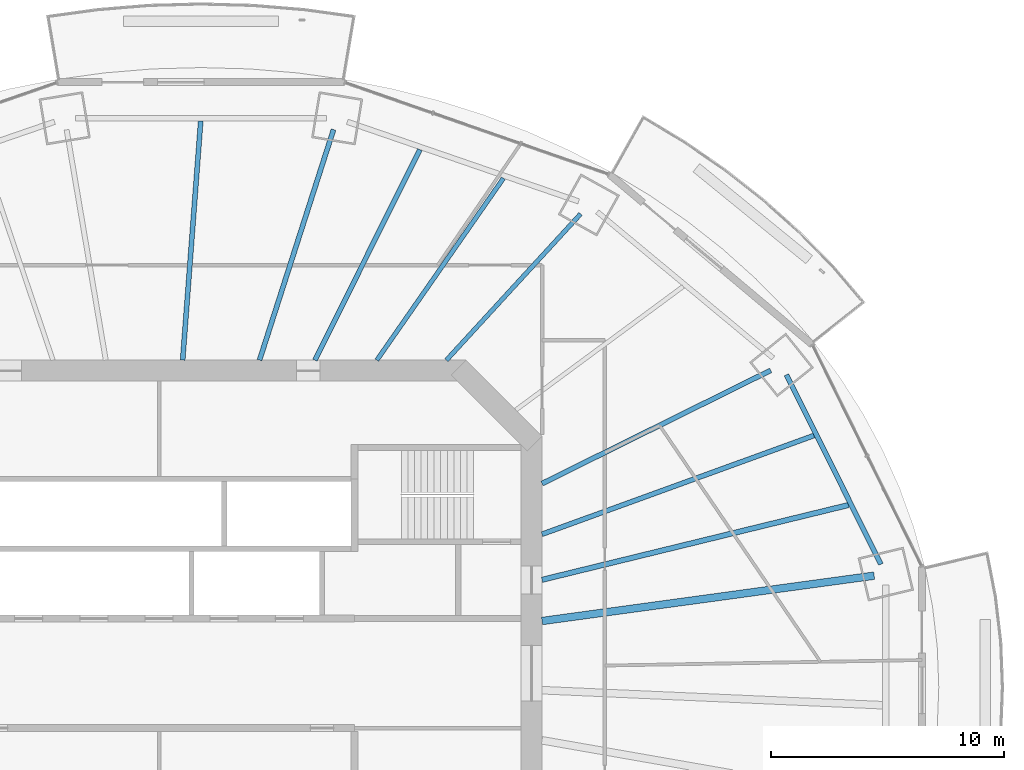
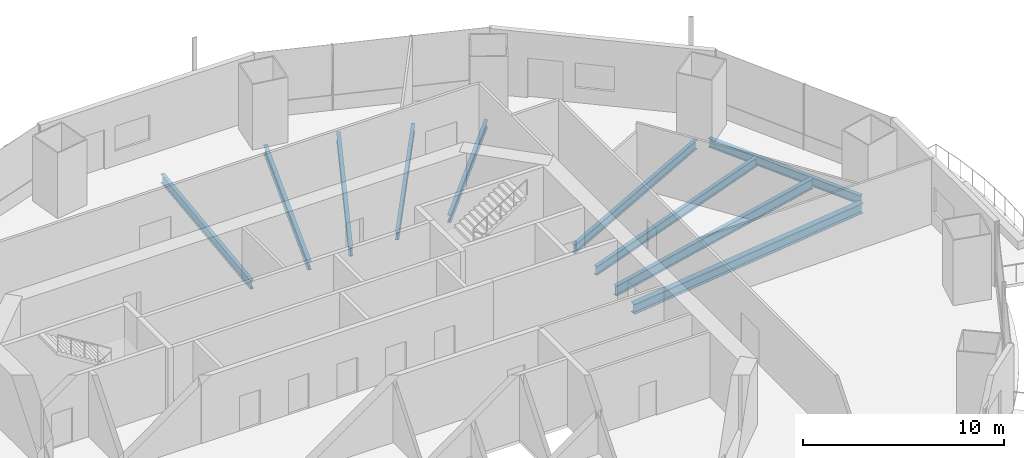
# One storey, part 7 of 21: 10 beams.
"""IFC4 building model written with IfcOpenShell, lengths in metres."""

import ifcopenshell
import ifcopenshell.guid

model = None  # the IFC model being written
_history = None  # IfcOwnerHistory: only IFC2X3 demands one
_inside = {}  # id of a spatial element -> (the spatial element, [elements in it])
_under = {}  # id of a project, library or spatial element -> (it, [spatial elements below it])
_declared = {}  # id of a project -> (the project, [libraries it declares])
_typed = {}  # id of a type object -> (the type object, [elements of that type])
_made_of = {}  # id of a material, layer set ... -> (it, [elements and type objects made of it])


def new_model(schema):
    """Start an empty IFC model of exactly this schema.

    Asked for "IFC4X3", IfcOpenShell would pick the latest addendum, in which some entities
    have other attributes; the version numbers below select the first issue.
    IFC2X3 requires an IfcOwnerHistory on every rooted entity: one is made here for all.
    """
    global model, _history
    if schema == "IFC4X3":
        model = ifcopenshell.file(schema_version=(4, 3, 0, 0))
    else:
        model = ifcopenshell.file(schema=schema)
    _inside.clear()
    _under.clear()
    _declared.clear()
    _typed.clear()
    _made_of.clear()
    _history = None
    if model.schema == "IFC2X3":
        org = make("IfcOrganization", Name="unknown")
        user = make(
            "IfcPersonAndOrganization",
            ThePerson=make("IfcPerson", FamilyName="unknown"),
            TheOrganization=org,
        )
        app = make(
            "IfcApplication",
            ApplicationDeveloper=org,
            Version="unknown",
            ApplicationFullName="unknown",
            ApplicationIdentifier="unknown",
        )
        _history = make(
            "IfcOwnerHistory",
            OwningUser=user,
            OwningApplication=app,
            ChangeAction="ADDED",
            CreationDate=0,
        )
    return model


def make(cls, **values):
    """One entity of the class cls with the attributes given. An attribute that is None is left unset."""
    return model.create_entity(
        cls, **{name: value for name, value in values.items() if value is not None}
    )


def rooted(cls, **values):
    """An entity with a GlobalId (a new one), such as an element, a storey or a relation."""
    return make(cls, GlobalId=ifcopenshell.guid.new(), OwnerHistory=_history, **values)


def si_unit(unit_type, name, prefix=None):
    """IfcSIUnit, for example si_unit("LENGTHUNIT", "METRE", prefix="MILLI")."""
    return make("IfcSIUnit", UnitType=unit_type, Prefix=prefix, Name=name)


def assignment(units):
    """IfcUnitAssignment: the units of a project."""
    return None if units is None else make("IfcUnitAssignment", Units=units)


def point(xyz):
    """IfcCartesianPoint."""
    return None if xyz is None else make("IfcCartesianPoint", Coordinates=xyz)


def direction(xyz):
    """IfcDirection."""
    return None if xyz is None else make("IfcDirection", DirectionRatios=xyz)


def frame(location, z_axis=None, x_axis=None):
    """IfcAxis2Placement3D, a coordinate frame: its origin and axes. An axis left out is left unset."""
    return make(
        "IfcAxis2Placement3D",
        Location=point(location),
        Axis=direction(z_axis),
        RefDirection=direction(x_axis),
    )


def frame_2d(location, x_axis=None):
    """IfcAxis2Placement2D, a coordinate frame in the plane: its origin and x axis."""
    return make(
        "IfcAxis2Placement2D", Location=point(location), RefDirection=direction(x_axis)
    )


def origin():
    """The frame at (0, 0, 0) with its axes left unset."""
    return frame((0.0, 0.0, 0.0))


def origin_2d():
    """The frame at (0, 0) in the plane with its x axis left unset."""
    return frame_2d((0.0, 0.0))


def place(relative_to, where):
    """IfcLocalPlacement: puts the frame where relative to a parent placement (None: the world)."""
    return make(
        "IfcLocalPlacement", PlacementRelTo=relative_to, RelativePlacement=where
    )


def context(
    kind, dimensions, precision=None, world=None, true_north=None, identifier=None
):
    """IfcGeometricRepresentationContext, for example the 3D "Model" context."""
    return make(
        "IfcGeometricRepresentationContext",
        ContextIdentifier=identifier,
        ContextType=kind,
        CoordinateSpaceDimension=dimensions,
        Precision=precision,
        WorldCoordinateSystem=world,
        TrueNorth=true_north,
    )


def subcontext(parent, identifier, kind, view, scale=None):
    """IfcGeometricRepresentationSubContext, for example "Body" below "Model"."""
    return make(
        "IfcGeometricRepresentationSubContext",
        ContextIdentifier=identifier,
        ContextType=kind,
        ParentContext=parent,
        TargetScale=scale,
        TargetView=view,
    )


def project(units=None, contexts=None):
    """IfcProject with its units and contexts."""
    return rooted(
        "IfcProject",
        Name="project",
        RepresentationContexts=contexts,
        UnitsInContext=assignment(units),
    )


def spatial(cls, under=None, at=None, **own):
    """A site, building, storey or space (cls), placed at a placement, below another one or the project."""
    s = rooted(cls, ObjectPlacement=at, **own)
    if under is not None:
        _under.setdefault(under.id(), (under, []))[1].append(s)
    return s


def profile(cls, at=None, kind="AREA", **sizes):
    """A parametric profile (cls). Its sizes go by their IFC names, for example OverallWidth=200.0."""
    return make(cls, ProfileType=kind, Position=at, **sizes)


def i_section(**sizes):
    """IfcIShapeProfileDef."""
    return profile("IfcIShapeProfileDef", **sizes)


def extrude(swept, where, along, depth):
    """IfcExtrudedAreaSolid: the profile swept, set in the frame where, extruded along a direction by depth."""
    return make(
        "IfcExtrudedAreaSolid",
        SweptArea=swept,
        Position=where,
        ExtrudedDirection=direction(along),
        Depth=depth,
    )


def shape(context_of_items, identifier, shape_type, items):
    """IfcShapeRepresentation: the items that make up one representation, for example the "Body"."""
    return make(
        "IfcShapeRepresentation",
        ContextOfItems=context_of_items,
        RepresentationIdentifier=identifier,
        RepresentationType=shape_type,
        Items=items,
    )


def material(Name=None, Category=None):
    """IfcMaterial."""
    return make("IfcMaterial", Name=Name, Category=Category)


def material_profile(
    of_material, cross_section, Name=None, Category=None, Priority=None
):
    """IfcMaterialProfile: a cross section and its material."""
    return make(
        "IfcMaterialProfile",
        Name=Name,
        Material=of_material,
        Profile=cross_section,
        Priority=Priority,
        Category=Category,
    )


def profile_set(profiles, Name=None, composite=None):
    """IfcMaterialProfileSet."""
    return make(
        "IfcMaterialProfileSet",
        Name=Name,
        MaterialProfiles=profiles,
        CompositeProfile=composite,
    )


def made_of(thing, what):
    """Note that an element or type object is made of a material, layer set ...; save() writes the relation."""
    if what is not None:
        _made_of.setdefault(what.id(), (what, []))[1].append(thing)
    return thing


def type_object(cls, material=None, **own):
    """A type object (cls), such as IfcWallType, which elements share."""
    return made_of(rooted(cls, **own), material)


def element(
    cls,
    number,
    at=None,
    inside=None,
    cuts=None,
    type_object=None,
    material=None,
    context=None,
    identifier="Body",
    shape_type=None,
    held_by="IfcProductDefinitionShape",
    body=None,
    shapes=None,
    **own,
):
    """One element of the class cls, such as IfcWall. Its Tag is "e" and its number.

    at: its placement. inside: the storey or other place that contains it. cuts: it is an
    opening in that element (IfcRelVoidsElement). A single representation is given by context,
    identifier, shape_type and body (its items); several are given by shapes. held_by: the class
    of the entity that holds the representations. save() writes the other relations.
    """
    e = rooted(cls, Tag="e%d" % number, ObjectPlacement=at, **own)
    if body is not None:
        shapes = [shape(context, identifier, shape_type, body)]
    if shapes is not None:
        e.Representation = make(held_by, Representations=shapes)
    if inside is not None:
        _inside.setdefault(inside.id(), (inside, []))[1].append(e)
    if cuts is not None:
        rooted(
            "IfcRelVoidsElement", RelatingBuildingElement=cuts, RelatedOpeningElement=e
        )
    if type_object is not None:
        _typed.setdefault(type_object.id(), (type_object, []))[1].append(e)
    return made_of(e, material)


def aggregate(whole, parts):
    """IfcRelAggregates: a whole, such as a stair, and the parts it consists of."""
    return rooted("IfcRelAggregates", RelatingObject=whole, RelatedObjects=parts)


def save(model, path):
    """Write the relations noted so far, then the file.

    IfcRelAggregates (storeys below a building ...), IfcRelContainedInSpatialStructure (elements
    in a storey), IfcRelDefinesByType, IfcRelAssociatesMaterial and IfcRelDeclares: one each for
    every whole, place, type object, material and project.
    """
    for whole, parts in _under.values():
        aggregate(whole, parts)
    for where, things in _inside.values():
        rooted(
            "IfcRelContainedInSpatialStructure",
            RelatedElements=things,
            RelatingStructure=where,
        )
    for kind, things in _typed.values():
        rooted("IfcRelDefinesByType", RelatedObjects=things, RelatingType=kind)
    for what, things in _made_of.values():
        rooted("IfcRelAssociatesMaterial", RelatedObjects=things, RelatingMaterial=what)
    for by, libraries in _declared.values():
        rooted("IfcRelDeclares", RelatingContext=by, RelatedDefinitions=libraries)
    model.write(path)


model = new_model("IFC4")

# Units and contexts
model_context = context("Model", 3, precision=1e-05, world=origin(), true_north=direction((0.0, 1.0)))
body_context = subcontext(model_context, "Body", "Model", "MODEL_VIEW")
ifc_project = project(units=[si_unit("LENGTHUNIT", "METRE"), si_unit("AREAUNIT", "SQUARE_METRE"), si_unit("VOLUMEUNIT", "CUBIC_METRE"), si_unit("PLANEANGLEUNIT", "RADIAN"), si_unit("MASSUNIT", "GRAM", prefix="KILO")], contexts=[model_context])

# Site, building, storey
site_placement = place(None, origin())
site = spatial("IfcSite", under=ifc_project, at=site_placement, CompositionType="ELEMENT")
building_placement = place(site_placement, origin())
building = spatial("IfcBuilding", under=site, at=building_placement, Name="Marenthal Gate Tower", CompositionType="ELEMENT")
storey_placement = place(building_placement, frame((0.0, 0.0, 202.550048828125)))
storey = spatial("IfcBuildingStorey", under=building, at=storey_placement, Name="L44", CompositionType="ELEMENT", Elevation=202.550048828125)

# Beams
ifc_material_1 = material(Name="Steel S355", Category="steel")
ifc_material_profile_1 = material_profile(ifc_material_1, i_section(OverallWidth=0.193115234375, OverallDepth=0.467041015625, WebThickness=0.011474609375, FlangeThickness=0.01904296875, FilletRadius=0.010009765625, at=origin_2d()), Name="W460X97")
ifc_profile_set_1 = profile_set([ifc_material_profile_1], Name="Steel S355")
beam_type_1 = type_object("IfcBeamType", Name="W460X97 beam", PredefinedType="BEAM", material=ifc_profile_set_1)
beam_1_placement = place(storey_placement, frame((18.10546875, 19.726806640625, -0.41357421875), z_axis=(-0.676183850406, -0.73673292342, 0.0), x_axis=(0.73673292342, -0.676183850406, 0.0)))
element("IfcBeam", 1, at=beam_1_placement, inside=storey, type_object=beam_type_1, Name="BM-L44-03", PredefinedType="BEAM", context=body_context, shape_type="SweptSolid", body=[
    extrude(i_section(OverallWidth=0.193115234375, OverallDepth=0.467041015625, WebThickness=0.011474609375, FlangeThickness=0.01904296875, FilletRadius=0.010009765625, at=origin_2d()), origin(), (0.0, 0.0, 1.0), 8.519775390625),
])
beam_2_placement = place(storey_placement, frame((14.790771484375, 21.258544921875, -0.41357421875), z_axis=(-0.571120884229, -0.820865966889, 0.0), x_axis=(0.820865966889, -0.571120884229, 0.0)))
element("IfcBeam", 2, at=beam_2_placement, inside=storey, type_object=beam_type_1, Name="BM-L44-20", PredefinedType="BEAM", context=body_context, shape_type="SweptSolid", body=[
    extrude(i_section(OverallWidth=0.193115234375, OverallDepth=0.467041015625, WebThickness=0.011474609375, FlangeThickness=0.01904296875, FilletRadius=0.010009765625, at=origin_2d()), origin(), (0.0, 0.0, 1.0), 9.5126953125),
])
ifc_material_2 = material(Name="Steel S355", Category="steel")
ifc_material_profile_2 = material_profile(ifc_material_2, i_section(OverallWidth=0.2099609375, OverallDepth=0.535888671875, WebThickness=0.010986328125, FlangeThickness=0.017333984375, FilletRadius=0.0126953125, at=origin_2d()), Name="W530X101")
ifc_profile_set_2 = profile_set([ifc_material_profile_2], Name="Steel S355")
beam_type_2 = type_object("IfcBeamType", Name="W530X101 beam", PredefinedType="BEAM", material=ifc_profile_set_2)
beam_3_placement = place(storey_placement, frame((11.20361328125, 22.492919921875, -0.447998046875), z_axis=(-0.445859796425, -0.895102810817, 0.0), x_axis=(0.895102810817, -0.445859796425, 0.0)))
element("IfcBeam", 3, at=beam_3_placement, inside=storey, type_object=beam_type_2, Name="BM-L44-21", PredefinedType="BEAM", context=body_context, shape_type="SweptSolid", body=[
    extrude(i_section(OverallWidth=0.2099609375, OverallDepth=0.535888671875, WebThickness=0.010986328125, FlangeThickness=0.017333984375, FilletRadius=0.0126953125, at=origin_2d()), origin(), (0.0, 0.0, 1.0), 10.102783203125),
])
beam_4_placement = place(storey_placement, frame((1.79150390625, 23.7216796875, -0.447998046875), z_axis=(-0.07532080965, -0.99715935318, 0.0), x_axis=(0.99715935318, -0.07532080965, 0.0)))
element("IfcBeam", 4, at=beam_4_placement, inside=storey, type_object=beam_type_2, Name="BM-L44-22", PredefinedType="BEAM", context=body_context, shape_type="SweptSolid", body=[
    extrude(i_section(OverallWidth=0.2099609375, OverallDepth=0.535888671875, WebThickness=0.010986328125, FlangeThickness=0.017333984375, FilletRadius=0.0126953125, at=origin_2d()), origin(), (0.0, 0.0, 1.0), 10.301025390625),
])
ifc_material_3 = material(Name="Steel S355", Category="steel")
ifc_material_profile_3 = material_profile(ifc_material_3, i_section(OverallWidth=0.2119140625, OverallDepth=0.5439453125, WebThickness=0.01318359375, FlangeThickness=0.021240234375, FilletRadius=0.0126953125, at=origin_2d()), Name="W530X123")
ifc_profile_set_3 = profile_set([ifc_material_profile_3], Name="Steel S355")
beam_type_3 = type_object("IfcBeamType", Name="W530X123 beam", PredefinedType="BEAM", material=ifc_profile_set_3)
beam_5_placement = place(storey_placement, frame((26.267822265625, 13.009521484375, -0.4521484375), z_axis=(-0.89611433434, -0.443823275403, 0.0), x_axis=(0.443823275403, -0.89611433434, 0.0)))
element("IfcBeam", 5, at=beam_5_placement, inside=storey, type_object=beam_type_3, Name="BM-L44-02", PredefinedType="BEAM", context=body_context, shape_type="SweptSolid", body=[
    extrude(i_section(OverallWidth=0.2119140625, OverallDepth=0.5439453125, WebThickness=0.01318359375, FlangeThickness=0.021240234375, FilletRadius=0.0126953125, at=origin_2d()), origin(), (0.0, 0.0, 1.0), 10.9560546875),
])
beam_6_placement = place(storey_placement, frame((7.494873046875, 23.349853515625, -0.4521484375), z_axis=(-0.30560630991, -0.95215796134, 0.0), x_axis=(0.95215796134, -0.30560630991, 0.0)))
element("IfcBeam", 6, at=beam_6_placement, inside=storey, type_object=beam_type_3, Name="BM-L44-04", PredefinedType="BEAM", context=body_context, shape_type="SweptSolid", body=[
    extrude(i_section(OverallWidth=0.2119140625, OverallDepth=0.5439453125, WebThickness=0.01318359375, FlangeThickness=0.021240234375, FilletRadius=0.0126953125, at=origin_2d()), origin(), (0.0, 0.0, 1.0), 10.397216796875),
])
beam_7_placement = place(storey_placement, frame((28.1298828125, 10.2119140625, -0.4521484375), z_axis=(-0.939974568128, -0.341244503653, 0.0), x_axis=(0.341244503653, -0.939974568128, 0.0)))
element("IfcBeam", 7, at=beam_7_placement, inside=storey, type_object=beam_type_3, Name="BM-L44-18", PredefinedType="BEAM", context=body_context, shape_type="SweptSolid", body=[
    extrude(i_section(OverallWidth=0.2119140625, OverallDepth=0.5439453125, WebThickness=0.01318359375, FlangeThickness=0.021240234375, FilletRadius=0.0126953125, at=origin_2d()), origin(), (0.0, 0.0, 1.0), 12.42578125),
])
beam_8_placement = place(storey_placement, frame((31.003662109375, 4.685791015625, -0.4521484375), z_axis=(-0.446214029057, 0.894926276446, 0.0), x_axis=(-0.894926276446, -0.446214029057, 0.0)))
element("IfcBeam", 8, at=beam_8_placement, inside=storey, type_object=beam_type_3, Name="BM-L44-41", PredefinedType="BEAM", context=body_context, shape_type="SweptSolid", body=[
    extrude(i_section(OverallWidth=0.2119140625, OverallDepth=0.5439453125, WebThickness=0.01318359375, FlangeThickness=0.021240234375, FilletRadius=0.0126953125, at=origin_2d()), origin(), (0.0, 0.0, 1.0), 9.088623046875),
])
ifc_material_4 = material(Name="Steel S355", Category="steel")
ifc_material_profile_4 = material_profile(ifc_material_4, i_section(OverallWidth=0.22900390625, OverallDepth=0.612060546875, WebThickness=0.011962890625, FlangeThickness=0.01953125, FilletRadius=0.0126953125, at=origin_2d()), Name="W610X125")
ifc_profile_set_4 = profile_set([ifc_material_profile_4], Name="Steel S355")
beam_type_4 = type_object("IfcBeamType", Name="W610X125 beam", PredefinedType="BEAM", material=ifc_profile_set_4)
beam_9_placement = place(storey_placement, frame((29.617431640625, 7.228759765625, -0.486083984375), z_axis=(-0.971481489313, -0.237115406336, 0.0), x_axis=(0.237115406336, -0.971481489313, 0.0)))
element("IfcBeam", 9, at=beam_9_placement, inside=storey, type_object=beam_type_4, Name="BM-L44-17", PredefinedType="BEAM", context=body_context, shape_type="SweptSolid", body=[
    extrude(i_section(OverallWidth=0.22900390625, OverallDepth=0.612060546875, WebThickness=0.011962890625, FlangeThickness=0.01953125, FilletRadius=0.0126953125, at=origin_2d()), origin(), (0.0, 0.0, 1.0), 13.553955078125),
])
ifc_material_5 = material(Name="Steel S355", Category="steel")
ifc_material_profile_5 = material_profile(ifc_material_5, i_section(OverallWidth=0.324951171875, OverallDepth=0.612060546875, WebThickness=0.0126953125, FlangeThickness=0.01904296875, FilletRadius=0.0126953125, at=origin_2d()), Name="W610X155")
ifc_profile_set_5 = profile_set([ifc_material_profile_5], Name="Steel S355")
beam_type_5 = type_object("IfcBeamType", Name="W610X155 beam", PredefinedType="BEAM", material=ifc_profile_set_5)
beam_10_placement = place(storey_placement, frame((30.71533203125, 4.1923828125, -0.486083984375), z_axis=(-0.990813960632, -0.135232005888, 0.0), x_axis=(0.135232005888, -0.990813960632, 0.0)))
element("IfcBeam", 10, at=beam_10_placement, inside=storey, type_object=beam_type_5, Name="BM-L44-01", PredefinedType="BEAM", context=body_context, shape_type="SweptSolid", body=[
    extrude(i_section(OverallWidth=0.324951171875, OverallDepth=0.612060546875, WebThickness=0.0126953125, FlangeThickness=0.01904296875, FilletRadius=0.0126953125, at=origin_2d()), origin(), (0.0, 0.0, 1.0), 14.397705078125),
])

save(model, "model.ifc")
